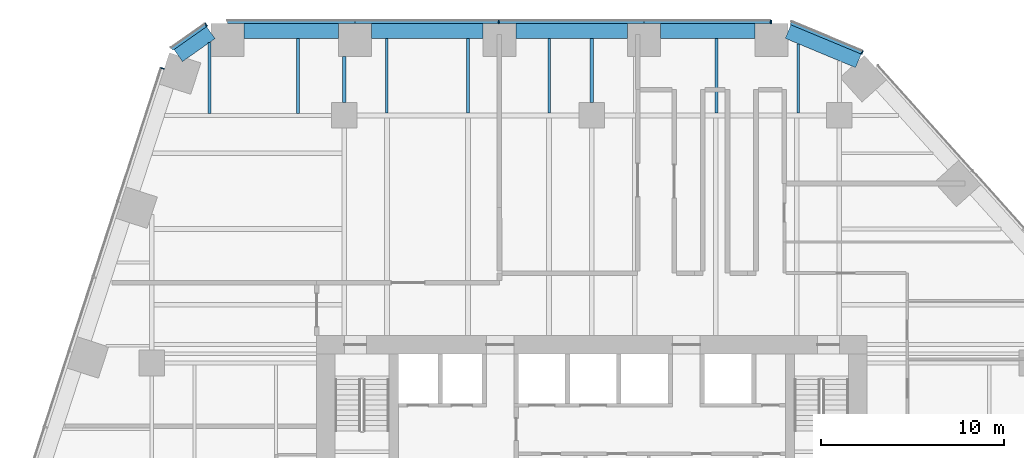
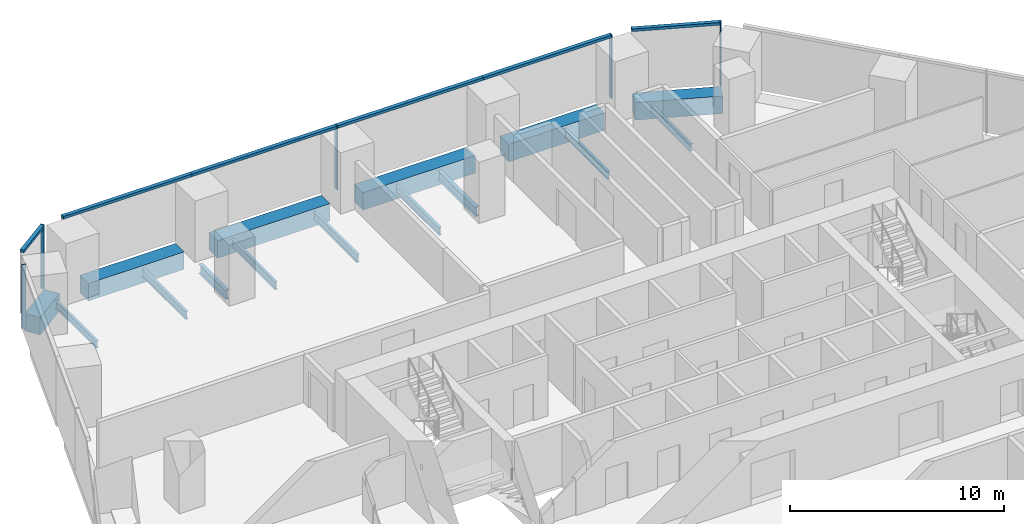
# One storey, part 12 of 21: 15 beams, 11 members, 4 elements without a shape of their own.
"""IFC4 building model written with IfcOpenShell, lengths in metres."""

import ifcopenshell
import ifcopenshell.guid

model = None  # the IFC model being written
_history = None  # IfcOwnerHistory: only IFC2X3 demands one
_inside = {}  # id of a spatial element -> (the spatial element, [elements in it])
_under = {}  # id of a project, library or spatial element -> (it, [spatial elements below it])
_declared = {}  # id of a project -> (the project, [libraries it declares])
_typed = {}  # id of a type object -> (the type object, [elements of that type])
_made_of = {}  # id of a material, layer set ... -> (it, [elements and type objects made of it])


def new_model(schema):
    """Start an empty IFC model of exactly this schema.

    Asked for "IFC4X3", IfcOpenShell would pick the latest addendum, in which some entities
    have other attributes; the version numbers below select the first issue.
    IFC2X3 requires an IfcOwnerHistory on every rooted entity: one is made here for all.
    """
    global model, _history
    if schema == "IFC4X3":
        model = ifcopenshell.file(schema_version=(4, 3, 0, 0))
    else:
        model = ifcopenshell.file(schema=schema)
    _inside.clear()
    _under.clear()
    _declared.clear()
    _typed.clear()
    _made_of.clear()
    _history = None
    if model.schema == "IFC2X3":
        org = make("IfcOrganization", Name="unknown")
        user = make(
            "IfcPersonAndOrganization",
            ThePerson=make("IfcPerson", FamilyName="unknown"),
            TheOrganization=org,
        )
        app = make(
            "IfcApplication",
            ApplicationDeveloper=org,
            Version="unknown",
            ApplicationFullName="unknown",
            ApplicationIdentifier="unknown",
        )
        _history = make(
            "IfcOwnerHistory",
            OwningUser=user,
            OwningApplication=app,
            ChangeAction="ADDED",
            CreationDate=0,
        )
    return model


def make(cls, **values):
    """One entity of the class cls with the attributes given. An attribute that is None is left unset."""
    return model.create_entity(
        cls, **{name: value for name, value in values.items() if value is not None}
    )


def rooted(cls, **values):
    """An entity with a GlobalId (a new one), such as an element, a storey or a relation."""
    return make(cls, GlobalId=ifcopenshell.guid.new(), OwnerHistory=_history, **values)


def si_unit(unit_type, name, prefix=None):
    """IfcSIUnit, for example si_unit("LENGTHUNIT", "METRE", prefix="MILLI")."""
    return make("IfcSIUnit", UnitType=unit_type, Prefix=prefix, Name=name)


def assignment(units):
    """IfcUnitAssignment: the units of a project."""
    return None if units is None else make("IfcUnitAssignment", Units=units)


def point(xyz):
    """IfcCartesianPoint."""
    return None if xyz is None else make("IfcCartesianPoint", Coordinates=xyz)


def direction(xyz):
    """IfcDirection."""
    return None if xyz is None else make("IfcDirection", DirectionRatios=xyz)


def frame(location, z_axis=None, x_axis=None):
    """IfcAxis2Placement3D, a coordinate frame: its origin and axes. An axis left out is left unset."""
    return make(
        "IfcAxis2Placement3D",
        Location=point(location),
        Axis=direction(z_axis),
        RefDirection=direction(x_axis),
    )


def frame_2d(location, x_axis=None):
    """IfcAxis2Placement2D, a coordinate frame in the plane: its origin and x axis."""
    return make(
        "IfcAxis2Placement2D", Location=point(location), RefDirection=direction(x_axis)
    )


def origin():
    """The frame at (0, 0, 0) with its axes left unset."""
    return frame((0.0, 0.0, 0.0))


def origin_2d():
    """The frame at (0, 0) in the plane with its x axis left unset."""
    return frame_2d((0.0, 0.0))


def place(relative_to, where):
    """IfcLocalPlacement: puts the frame where relative to a parent placement (None: the world)."""
    return make(
        "IfcLocalPlacement", PlacementRelTo=relative_to, RelativePlacement=where
    )


def context(
    kind, dimensions, precision=None, world=None, true_north=None, identifier=None
):
    """IfcGeometricRepresentationContext, for example the 3D "Model" context."""
    return make(
        "IfcGeometricRepresentationContext",
        ContextIdentifier=identifier,
        ContextType=kind,
        CoordinateSpaceDimension=dimensions,
        Precision=precision,
        WorldCoordinateSystem=world,
        TrueNorth=true_north,
    )


def subcontext(parent, identifier, kind, view, scale=None):
    """IfcGeometricRepresentationSubContext, for example "Body" below "Model"."""
    return make(
        "IfcGeometricRepresentationSubContext",
        ContextIdentifier=identifier,
        ContextType=kind,
        ParentContext=parent,
        TargetScale=scale,
        TargetView=view,
    )


def project(units=None, contexts=None):
    """IfcProject with its units and contexts."""
    return rooted(
        "IfcProject",
        Name="project",
        RepresentationContexts=contexts,
        UnitsInContext=assignment(units),
    )


def spatial(cls, under=None, at=None, **own):
    """A site, building, storey or space (cls), placed at a placement, below another one or the project."""
    s = rooted(cls, ObjectPlacement=at, **own)
    if under is not None:
        _under.setdefault(under.id(), (under, []))[1].append(s)
    return s


def profile(cls, at=None, kind="AREA", **sizes):
    """A parametric profile (cls). Its sizes go by their IFC names, for example OverallWidth=200.0."""
    return make(cls, ProfileType=kind, Position=at, **sizes)


def rectangle(**sizes):
    """IfcRectangleProfileDef."""
    return profile("IfcRectangleProfileDef", **sizes)


def i_section(**sizes):
    """IfcIShapeProfileDef."""
    return profile("IfcIShapeProfileDef", **sizes)


def extrude(swept, where, along, depth):
    """IfcExtrudedAreaSolid: the profile swept, set in the frame where, extruded along a direction by depth."""
    return make(
        "IfcExtrudedAreaSolid",
        SweptArea=swept,
        Position=where,
        ExtrudedDirection=direction(along),
        Depth=depth,
    )


def shape(context_of_items, identifier, shape_type, items):
    """IfcShapeRepresentation: the items that make up one representation, for example the "Body"."""
    return make(
        "IfcShapeRepresentation",
        ContextOfItems=context_of_items,
        RepresentationIdentifier=identifier,
        RepresentationType=shape_type,
        Items=items,
    )


def material(Name=None, Category=None):
    """IfcMaterial."""
    return make("IfcMaterial", Name=Name, Category=Category)


def layer(
    of_material, thickness, ventilated=None, Name=None, Category=None, Priority=None
):
    """IfcMaterialLayer: one layer of a wall or slab, of a material (None: an air gap)."""
    return make(
        "IfcMaterialLayer",
        Material=of_material,
        LayerThickness=thickness,
        IsVentilated=ventilated,
        Name=Name,
        Category=Category,
        Priority=Priority,
    )


def layer_set(layers, Name=None):
    """IfcMaterialLayerSet."""
    return make("IfcMaterialLayerSet", MaterialLayers=layers, LayerSetName=Name)


def material_profile(
    of_material, cross_section, Name=None, Category=None, Priority=None
):
    """IfcMaterialProfile: a cross section and its material."""
    return make(
        "IfcMaterialProfile",
        Name=Name,
        Material=of_material,
        Profile=cross_section,
        Priority=Priority,
        Category=Category,
    )


def profile_set(profiles, Name=None, composite=None):
    """IfcMaterialProfileSet."""
    return make(
        "IfcMaterialProfileSet",
        Name=Name,
        MaterialProfiles=profiles,
        CompositeProfile=composite,
    )


def made_of(thing, what):
    """Note that an element or type object is made of a material, layer set ...; save() writes the relation."""
    if what is not None:
        _made_of.setdefault(what.id(), (what, []))[1].append(thing)
    return thing


def type_object(cls, material=None, **own):
    """A type object (cls), such as IfcWallType, which elements share."""
    return made_of(rooted(cls, **own), material)


def element(
    cls,
    number,
    at=None,
    inside=None,
    cuts=None,
    type_object=None,
    material=None,
    context=None,
    identifier="Body",
    shape_type=None,
    held_by="IfcProductDefinitionShape",
    body=None,
    shapes=None,
    **own,
):
    """One element of the class cls, such as IfcWall. Its Tag is "e" and its number.

    at: its placement. inside: the storey or other place that contains it. cuts: it is an
    opening in that element (IfcRelVoidsElement). A single representation is given by context,
    identifier, shape_type and body (its items); several are given by shapes. held_by: the class
    of the entity that holds the representations. save() writes the other relations.
    """
    e = rooted(cls, Tag="e%d" % number, ObjectPlacement=at, **own)
    if body is not None:
        shapes = [shape(context, identifier, shape_type, body)]
    if shapes is not None:
        e.Representation = make(held_by, Representations=shapes)
    if inside is not None:
        _inside.setdefault(inside.id(), (inside, []))[1].append(e)
    if cuts is not None:
        rooted(
            "IfcRelVoidsElement", RelatingBuildingElement=cuts, RelatedOpeningElement=e
        )
    if type_object is not None:
        _typed.setdefault(type_object.id(), (type_object, []))[1].append(e)
    return made_of(e, material)


def aggregate(whole, parts):
    """IfcRelAggregates: a whole, such as a stair, and the parts it consists of."""
    return rooted("IfcRelAggregates", RelatingObject=whole, RelatedObjects=parts)


def save(model, path):
    """Write the relations noted so far, then the file.

    IfcRelAggregates (storeys below a building ...), IfcRelContainedInSpatialStructure (elements
    in a storey), IfcRelDefinesByType, IfcRelAssociatesMaterial and IfcRelDeclares: one each for
    every whole, place, type object, material and project.
    """
    for whole, parts in _under.values():
        aggregate(whole, parts)
    for where, things in _inside.values():
        rooted(
            "IfcRelContainedInSpatialStructure",
            RelatedElements=things,
            RelatingStructure=where,
        )
    for kind, things in _typed.values():
        rooted("IfcRelDefinesByType", RelatedObjects=things, RelatingType=kind)
    for what, things in _made_of.values():
        rooted("IfcRelAssociatesMaterial", RelatedObjects=things, RelatingMaterial=what)
    for by, libraries in _declared.values():
        rooted("IfcRelDeclares", RelatingContext=by, RelatedDefinitions=libraries)
    model.write(path)


model = new_model("IFC4")

# Units and contexts
model_context = context("Model", 3, precision=1e-05, world=origin(), true_north=direction((0.0, 1.0)))
body_context = subcontext(model_context, "Body", "Model", "MODEL_VIEW")
ifc_project = project(units=[si_unit("LENGTHUNIT", "METRE"), si_unit("AREAUNIT", "SQUARE_METRE"), si_unit("VOLUMEUNIT", "CUBIC_METRE"), si_unit("PLANEANGLEUNIT", "RADIAN"), si_unit("MASSUNIT", "GRAM", prefix="KILO")], contexts=[model_context])

# Site, building, storey
site_placement = place(None, origin())
site = spatial("IfcSite", under=ifc_project, at=site_placement, CompositionType="ELEMENT")
building_placement = place(site_placement, origin())
building = spatial("IfcBuilding", under=site, at=building_placement, Name="Isthmus Gate Tower", CompositionType="ELEMENT")
storey_placement = place(building_placement, frame((0.0, 0.0, 50.60009765625)))
storey = spatial("IfcBuildingStorey", under=building, at=storey_placement, Name="L10", CompositionType="ELEMENT", Elevation=50.60009765625)

# Curtain wall, members
ifc_material_1 = material(Name="Aluminium, pale champagne anodised", Category="aluminium")
ifc_layer = layer(ifc_material_1, 0.199951171875)
ifc_layer_set = layer_set([ifc_layer], Name="CW-1 UNITISED CURTAIN WALL 200 DEEP")
curtain_wall_type = type_object("IfcCurtainWallType", Name="CW-1 UNITISED CURTAIN WALL 200 DEEP", PredefinedType="NOTDEFINED", material=ifc_layer_set)
curtain_wall_1_placement = place(storey_placement, origin())
curtain_wall_1 = element("IfcCurtainWall", 1, at=curtain_wall_1_placement, inside=storey, type_object=curtain_wall_type, Name="CW-1 N L10", PredefinedType="NOTDEFINED")
ifc_material_2 = material(Name="Aluminium, pale champagne anodised", Category="aluminium")
ifc_material_profile_1 = material_profile(ifc_material_2, rectangle(XDim=0.06005859375, YDim=0.199951171875, at=origin_2d()), Name="60x200")
ifc_profile_set_1 = profile_set([ifc_material_profile_1], Name="Aluminium, pale champagne anodised")
member_type_1 = type_object("IfcMemberType", Name="CW-1 MULLION 60 X 200", PredefinedType="MULLION", material=ifc_profile_set_1)
member_1_placement = place(storey_placement, frame((9.77197265625, 32.10009765625, 0.0), z_axis=(0.0, 0.0, 1.0), x_axis=(-1.0, 0.0, 0.0)))
member_1 = element("IfcMember", 2, at=member_1_placement, type_object=member_type_1, Name="CW-1 mullion", PredefinedType="MULLION", context=body_context, shape_type="SweptSolid", body=[
    extrude(rectangle(XDim=0.06005859375, YDim=0.199951171875, at=origin_2d()), origin(), (0.0, 0.0, 1.0), 3.64990234375),
])
member_2_placement = place(storey_placement, frame((-5.067138671875, 32.10009765625, 0.0), z_axis=(0.0, 0.0, 1.0), x_axis=(-1.0, 0.0, 0.0)))
member_2 = element("IfcMember", 3, at=member_2_placement, type_object=member_type_1, Name="CW-1 mullion", PredefinedType="MULLION", context=body_context, shape_type="SweptSolid", body=[
    extrude(rectangle(XDim=0.06005859375, YDim=0.199951171875, at=origin_2d()), origin(), (0.0, 0.0, 1.0), 3.64990234375),
])

# Curtain wall, member
curtain_wall_2_placement = place(storey_placement, origin())
curtain_wall_2 = element("IfcCurtainWall", 4, at=curtain_wall_2_placement, inside=storey, type_object=curtain_wall_type, Name="CW-1 N-NW L10", PredefinedType="NOTDEFINED")
member_3_placement = place(storey_placement, frame((-21.031005859375, 31.943115234375, 0.0), z_axis=(0.0, 0.0, 1.0), x_axis=(-0.81785959165, -0.57541783805, 0.0)))
member_3 = element("IfcMember", 5, at=member_3_placement, type_object=member_type_1, Name="CW-1 mullion", PredefinedType="MULLION", context=body_context, shape_type="SweptSolid", body=[
    extrude(rectangle(XDim=0.06005859375, YDim=0.199951171875, at=origin_2d()), origin(), (0.0, 0.0, 1.0), 3.64990234375),
])

curtain_wall_3_placement = place(storey_placement, origin())
curtain_wall_3 = element("IfcCurtainWall", 6, at=curtain_wall_3_placement, inside=storey, type_object=curtain_wall_type, Name="CW-1 NW L10", PredefinedType="NOTDEFINED")
member_4_placement = place(storey_placement, frame((-23.41162109375, 29.561279296875, 0.0), z_axis=(0.0, 0.0, 1.0), x_axis=(-0.309016994375, -0.951056516295, 0.0)))
member_4 = element("IfcMember", 7, at=member_4_placement, type_object=member_type_1, Name="CW-1 mullion", PredefinedType="MULLION", context=body_context, shape_type="SweptSolid", body=[
    extrude(rectangle(XDim=0.06005859375, YDim=0.199951171875, at=origin_2d()), origin(), (0.0, 0.0, 1.0), 3.64990234375),
])
aggregate(curtain_wall_3, [member_4])

curtain_wall_4_placement = place(storey_placement, origin())
curtain_wall_4 = element("IfcCurtainWall", 8, at=curtain_wall_4_placement, inside=storey, type_object=curtain_wall_type, Name="CW-1 NE-N L10", PredefinedType="NOTDEFINED")
member_5_placement = place(storey_placement, frame((14.744140625, 30.427490234375, 0.0), z_axis=(0.0, 0.0, 1.0), x_axis=(-0.923353128387, 0.383951820282, 0.0)))
member_5 = element("IfcMember", 9, at=member_5_placement, type_object=member_type_1, Name="CW-1 mullion", PredefinedType="MULLION", context=body_context, shape_type="SweptSolid", body=[
    extrude(rectangle(XDim=0.06005859375, YDim=0.199951171875, at=origin_2d()), origin(), (0.0, 0.0, 1.0), 3.64990234375),
])

# Member
ifc_material_3 = material(Name="Aluminium, pale champagne anodised", Category="aluminium")
ifc_material_profile_2 = material_profile(ifc_material_3, rectangle(XDim=0.199951171875, YDim=0.14990234375, at=origin_2d()), Name="200x150")
ifc_profile_set_2 = profile_set([ifc_material_profile_2], Name="Aluminium, pale champagne anodised")
member_type_2 = type_object("IfcMemberType", Name="CW-1 TRANSOM 200 X 150", PredefinedType="USERDEFINED", material=ifc_profile_set_2)
member_6_placement = place(storey_placement, frame((9.741943359375, 32.10009765625, 3.574951171875), z_axis=(-1.0, 0.0, 0.0), x_axis=(0.0, -1.0, 0.0)))
member_6 = element("IfcMember", 10, at=member_6_placement, type_object=member_type_2, Name="CW-1 transom", ObjectType="TRANSOM", PredefinedType="USERDEFINED", context=body_context, shape_type="SweptSolid", body=[
    extrude(rectangle(XDim=0.199951171875, YDim=0.14990234375, at=origin_2d()), origin(), (0.0, 0.0, 1.0), 6.90966796875),
])

member_7_placement = place(storey_placement, frame((2.832275390625, 32.10009765625, 3.574951171875), z_axis=(-1.0, 0.0, 0.0), x_axis=(0.0, -1.0, 0.0)))
member_7 = element("IfcMember", 11, at=member_7_placement, type_object=member_type_2, Name="CW-1 transom", ObjectType="TRANSOM", PredefinedType="USERDEFINED", context=body_context, shape_type="SweptSolid", body=[
    extrude(rectangle(XDim=0.199951171875, YDim=0.14990234375, at=origin_2d()), origin(), (0.0, 0.0, 1.0), 7.869384765625),
])

member_8_placement = place(storey_placement, frame((-5.09716796875, 32.10009765625, 3.574951171875), z_axis=(-1.0, 0.0, 0.0), x_axis=(0.0, -1.0, 0.0)))
member_8 = element("IfcMember", 12, at=member_8_placement, type_object=member_type_2, Name="CW-1 transom", ObjectType="TRANSOM", PredefinedType="USERDEFINED", context=body_context, shape_type="SweptSolid", body=[
    extrude(rectangle(XDim=0.199951171875, YDim=0.14990234375, at=origin_2d()), origin(), (0.0, 0.0, 1.0), 7.8095703125),
])

member_9_placement = place(storey_placement, frame((-12.90673828125, 32.10009765625, 3.574951171875), z_axis=(-1.0, 0.0, 0.0), x_axis=(0.0, -1.0, 0.0)))
member_9 = element("IfcMember", 13, at=member_9_placement, type_object=member_type_2, Name="CW-1 transom", ObjectType="TRANSOM", PredefinedType="USERDEFINED", context=body_context, shape_type="SweptSolid", body=[
    extrude(rectangle(XDim=0.199951171875, YDim=0.14990234375, at=origin_2d()), origin(), (0.0, 0.0, 1.0), 6.969482421875),
])

aggregate(curtain_wall_1, [member_1, member_6, member_7, member_2, member_8, member_9])

member_10_placement = place(storey_placement, frame((-21.055419921875, 31.92578125, 3.574951171875), z_axis=(-0.817868595604, -0.575405040233, 0.0), x_axis=(0.575405040233, -0.817868595604, 0.0)))
member_10 = element("IfcMember", 14, at=member_10_placement, type_object=member_type_2, Name="CW-1 transom", ObjectType="TRANSOM", PredefinedType="USERDEFINED", context=body_context, shape_type="SweptSolid", body=[
    extrude(rectangle(XDim=0.199951171875, YDim=0.14990234375, at=origin_2d()), origin(), (0.0, 0.0, 1.0), 2.258544921875),
])

aggregate(curtain_wall_2, [member_3, member_10])

member_11_placement = place(storey_placement, frame((14.716552734375, 30.43896484375, 3.574951171875), z_axis=(-0.923358236369, 0.383939536033, 0.0), x_axis=(-0.383939536033, -0.923358236369, 0.0)))
member_11 = element("IfcMember", 15, at=member_11_placement, type_object=member_type_2, Name="CW-1 transom", ObjectType="TRANSOM", PredefinedType="USERDEFINED", context=body_context, shape_type="SweptSolid", body=[
    extrude(rectangle(XDim=0.199951171875, YDim=0.14990234375, at=origin_2d()), origin(), (0.0, 0.0, 1.0), 4.181640625),
])

aggregate(curtain_wall_4, [member_5, member_11])

# Beams
ifc_material_4 = material(Name="Concrete f'c 70 MPa", Category="concrete")
ifc_material_profile_3 = material_profile(ifc_material_4, rectangle(XDim=0.800048828125, YDim=1.0, at=origin_2d()), Name="RC 800X1000")
ifc_profile_set_3 = profile_set([ifc_material_profile_3], Name="Concrete f'c 70 MPa")
beam_type_1 = type_object("IfcBeamType", Name="RC SPANDREL 800 X 1000", PredefinedType="SPANDREL", material=ifc_profile_set_3)
beam_1_placement = place(storey_placement, frame((10.701904296875, 31.56689453125, -0.5), z_axis=(0.923334166719, -0.383997417399, 0.0), x_axis=(0.383997417399, 0.923334166719, 0.0)))
element("IfcBeam", 16, at=beam_1_placement, inside=storey, type_object=beam_type_1, Name="str-spandrel-L10-00", PredefinedType="SPANDREL", context=body_context, shape_type="SweptSolid", body=[
    extrude(rectangle(XDim=0.800048828125, YDim=1.0, at=origin_2d()), origin(), (0.0, 0.0, 1.0), 4.15234375),
])
beam_2_placement = place(storey_placement, frame((-22.553466796875, 30.260498046875, -0.5), z_axis=(0.817857331203, 0.575421050882, 0.0), x_axis=(-0.575421050882, 0.817857331203, 0.0)))
element("IfcBeam", 17, at=beam_2_placement, inside=storey, type_object=beam_type_1, Name="str-spandrel-L10-22", PredefinedType="SPANDREL", context=body_context, shape_type="SweptSolid", body=[
    extrude(rectangle(XDim=0.800048828125, YDim=1.0, at=origin_2d()), origin(), (0.0, 0.0, 1.0), 2.173095703125),
])
beam_3_placement = place(storey_placement, frame((-18.976318359375, 31.60009765625, -0.5), z_axis=(1.0, 0.0, 0.0), x_axis=(0.0, 1.0, 0.0)))
element("IfcBeam", 18, at=beam_3_placement, inside=storey, type_object=beam_type_1, Name="str-spandrel-L10-23", PredefinedType="SPANDREL", context=body_context, shape_type="SweptSolid", body=[
    extrude(rectangle(XDim=0.800048828125, YDim=1.0, at=origin_2d()), origin(), (0.0, 0.0, 1.0), 5.169677734375),
])
beam_4_placement = place(storey_placement, frame((-12.006591796875, 31.60009765625, -0.5), z_axis=(1.0, 0.0, 0.0), x_axis=(0.0, 1.0, 0.0)))
element("IfcBeam", 19, at=beam_4_placement, inside=storey, type_object=beam_type_1, Name="str-spandrel-L10-24", PredefinedType="SPANDREL", context=body_context, shape_type="SweptSolid", body=[
    extrude(rectangle(XDim=0.800048828125, YDim=1.0, at=origin_2d()), origin(), (0.0, 0.0, 1.0), 6.0693359375),
])
beam_5_placement = place(storey_placement, frame((-4.13720703125, 31.60009765625, -0.5), z_axis=(1.0, 0.0, 0.0), x_axis=(0.0, 1.0, 0.0)))
element("IfcBeam", 20, at=beam_5_placement, inside=storey, type_object=beam_type_1, Name="str-spandrel-L10-25", PredefinedType="SPANDREL", context=body_context, shape_type="SweptSolid", body=[
    extrude(rectangle(XDim=0.800048828125, YDim=1.0, at=origin_2d()), origin(), (0.0, 0.0, 1.0), 6.069580078125),
])
beam_6_placement = place(storey_placement, frame((3.732421875, 31.60009765625, -0.5), z_axis=(1.0, 0.0, 0.0), x_axis=(0.0, 1.0, 0.0)))
element("IfcBeam", 21, at=beam_6_placement, inside=storey, type_object=beam_type_1, Name="str-spandrel-L10-26", PredefinedType="SPANDREL", context=body_context, shape_type="SweptSolid", body=[
    extrude(rectangle(XDim=0.800048828125, YDim=1.0, at=origin_2d()), origin(), (0.0, 0.0, 1.0), 5.16943359375),
])
ifc_material_5 = material(Name="Structural steel ASTM A992 Gr 50", Category="steel")
ifc_material_profile_4 = material_profile(ifc_material_5, i_section(OverallWidth=0.1396484375, OverallDepth=0.4033203125, WebThickness=0.00634765625, FlangeThickness=0.010986328125, at=origin_2d()), Name="W16X31")
ifc_profile_set_4 = profile_set([ifc_material_profile_4], Name="Structural steel ASTM A992 Gr 50")
beam_type_2 = type_object("IfcBeamType", Name="STEEL FLOOR BEAM W16X31", PredefinedType="JOIST", material=ifc_profile_set_4)
beam_7_placement = place(storey_placement, frame((-20.846435546875, 27.1142578125, -0.351806640625), z_axis=(0.0, 1.0, 0.0), x_axis=(-1.0, 0.0, 0.0)))
element("IfcBeam", 22, at=beam_7_placement, inside=storey, type_object=beam_type_2, Name="str-beam-L10-08-00", PredefinedType="JOIST", context=body_context, shape_type="SweptSolid", body=[
    extrude(i_section(OverallWidth=0.1396484375, OverallDepth=0.4033203125, WebThickness=0.00634765625, FlangeThickness=0.010986328125, at=origin_2d()), origin(), (0.0, 0.0, 1.0), 3.858154296875),
])
beam_8_placement = place(storey_placement, frame((11.267578125, 27.1318359375, -0.351806640625), z_axis=(0.0, 1.0, 0.0), x_axis=(-1.0, 0.0, 0.0)))
element("IfcBeam", 23, at=beam_8_placement, inside=storey, type_object=beam_type_2, Name="str-beam-L10-19-02", PredefinedType="JOIST", context=body_context, shape_type="SweptSolid", body=[
    extrude(i_section(OverallWidth=0.1396484375, OverallDepth=0.4033203125, WebThickness=0.00634765625, FlangeThickness=0.010986328125, at=origin_2d()), origin(), (0.0, 0.0, 1.0), 3.7666015625),
])
ifc_material_6 = material(Name="Structural steel ASTM A992 Gr 50", Category="steel")
ifc_material_profile_5 = material_profile(ifc_material_6, i_section(OverallWidth=0.15234375, OverallDepth=0.45068359375, WebThickness=0.0078125, FlangeThickness=0.010986328125, at=origin_2d()), Name="W18X35")
ifc_profile_set_5 = profile_set([ifc_material_profile_5], Name="Structural steel ASTM A992 Gr 50")
beam_type_3 = type_object("IfcBeamType", Name="STEEL FLOOR BEAM W18X35", PredefinedType="JOIST", material=ifc_profile_set_5)
beam_9_placement = place(storey_placement, frame((-16.0185546875, 27.1142578125, -0.37548828125), z_axis=(0.0, 1.0, 0.0), x_axis=(-1.0, 0.0, 0.0)))
element("IfcBeam", 24, at=beam_9_placement, inside=storey, type_object=beam_type_3, Name="str-beam-L10-08-01", PredefinedType="JOIST", context=body_context, shape_type="SweptSolid", body=[
    extrude(i_section(OverallWidth=0.15234375, OverallDepth=0.45068359375, WebThickness=0.0078125, FlangeThickness=0.010986328125, at=origin_2d()), origin(), (0.0, 0.0, 1.0), 4.085693359375),
])
for number, where, z_axis, x_axis, name in (
    (25, (-11.18017578125, 27.1318359375, -0.37548828125), (0.0, 1.0, 0.0), (-1.0, 0.0, 0.0), "str-beam-L10-14-00"),
    (26, (-6.75, 27.1318359375, -0.37548828125), (0.0, 1.0, 0.0), (-1.0, 0.0, 0.0), "str-beam-L10-14-01"),
    (27, (-2.31982421875, 27.1318359375, -0.37548828125), (0.0, 1.0, 0.0), (-1.0, 0.0, 0.0), "str-beam-L10-14-02"),
    (28, (6.802490234375, 27.1318359375, -0.37548828125), (0.0, 1.0, 0.0), (-1.0, 0.0, 0.0), "str-beam-L10-19-01"),
):
    element("IfcBeam", number, at=place(storey_placement, frame(where, z_axis=z_axis, x_axis=x_axis)), inside=storey, type_object=beam_type_3, Name=name, PredefinedType="JOIST", context=body_context, shape_type="SweptSolid", body=[
        extrude(i_section(OverallWidth=0.15234375, OverallDepth=0.45068359375, WebThickness=0.0078125, FlangeThickness=0.010986328125, at=origin_2d()), origin(), (0.0, 0.0, 1.0), 4.068115234375),
    ])
ifc_material_7 = material(Name="Structural steel ASTM A992 Gr 50", Category="steel")
ifc_material_profile_6 = material_profile(ifc_material_7, i_section(OverallWidth=0.20947265625, OverallDepth=0.533447265625, WebThickness=0.009521484375, FlangeThickness=0.015869140625, at=origin_2d()), Name="W21X62")
ifc_profile_set_6 = profile_set([ifc_material_profile_6], Name="Structural steel ASTM A992 Gr 50")
beam_type_4 = type_object("IfcBeamType", Name="STEEL GIRDER W21X62", PredefinedType="BEAM", material=ifc_profile_set_6)
beam_10_placement = place(storey_placement, frame((-13.5, 27.699951171875, -0.416748046875), z_axis=(0.0, 1.0, 0.0), x_axis=(-1.0, 0.0, 0.0)))
element("IfcBeam", 29, at=beam_10_placement, inside=storey, type_object=beam_type_4, Name="str-girder-L10-27", PredefinedType="BEAM", context=body_context, shape_type="SweptSolid", body=[
    extrude(i_section(OverallWidth=0.20947265625, OverallDepth=0.533447265625, WebThickness=0.009521484375, FlangeThickness=0.015869140625, at=origin_2d()), origin(), (0.0, 0.0, 1.0), 2.5),
])
beam_11_placement = place(storey_placement, frame((0.0, 27.699951171875, -0.416748046875), z_axis=(0.0, 1.0, 0.0), x_axis=(-1.0, 0.0, 0.0)))
element("IfcBeam", 30, at=beam_11_placement, inside=storey, type_object=beam_type_4, Name="str-girder-L10-30", PredefinedType="BEAM", context=body_context, shape_type="SweptSolid", body=[
    extrude(i_section(OverallWidth=0.20947265625, OverallDepth=0.533447265625, WebThickness=0.009521484375, FlangeThickness=0.015869140625, at=origin_2d()), origin(), (0.0, 0.0, 1.0), 3.5),
])

save(model, "model.ifc")
